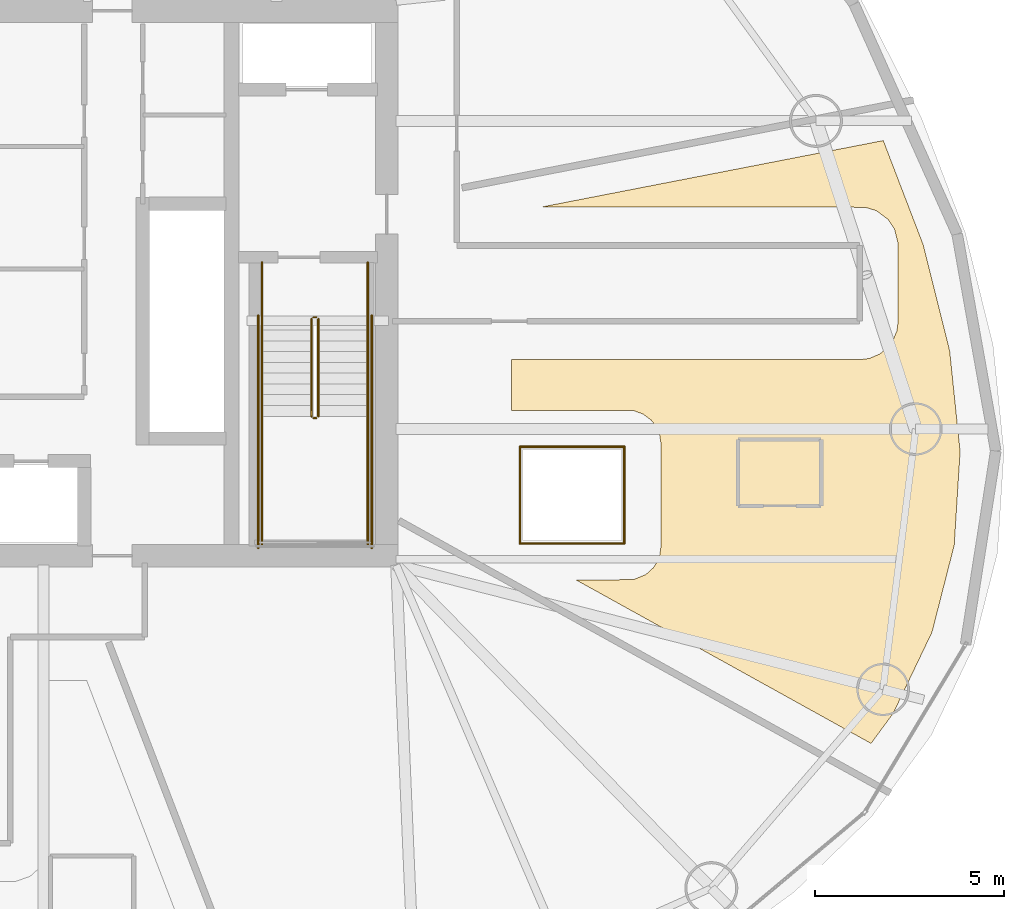
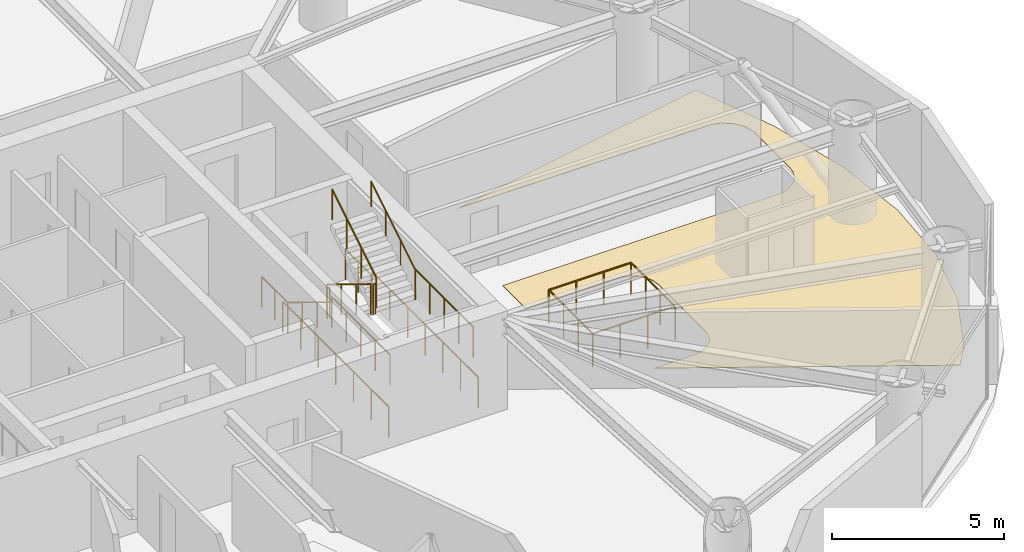
# One storey, part 19 of 20: 16 railings, 1 covering.
"""IFC4 building model written with IfcOpenShell, lengths in metres."""

import ifcopenshell
import ifcopenshell.guid

model = None  # the IFC model being written
_history = None  # IfcOwnerHistory: only IFC2X3 demands one
_inside = {}  # id of a spatial element -> (the spatial element, [elements in it])
_under = {}  # id of a project, library or spatial element -> (it, [spatial elements below it])
_declared = {}  # id of a project -> (the project, [libraries it declares])
_typed = {}  # id of a type object -> (the type object, [elements of that type])
_made_of = {}  # id of a material, layer set ... -> (it, [elements and type objects made of it])


def new_model(schema):
    """Start an empty IFC model of exactly this schema.

    Asked for "IFC4X3", IfcOpenShell would pick the latest addendum, in which some entities
    have other attributes; the version numbers below select the first issue.
    IFC2X3 requires an IfcOwnerHistory on every rooted entity: one is made here for all.
    """
    global model, _history
    if schema == "IFC4X3":
        model = ifcopenshell.file(schema_version=(4, 3, 0, 0))
    else:
        model = ifcopenshell.file(schema=schema)
    _inside.clear()
    _under.clear()
    _declared.clear()
    _typed.clear()
    _made_of.clear()
    _history = None
    if model.schema == "IFC2X3":
        org = make("IfcOrganization", Name="unknown")
        user = make(
            "IfcPersonAndOrganization",
            ThePerson=make("IfcPerson", FamilyName="unknown"),
            TheOrganization=org,
        )
        app = make(
            "IfcApplication",
            ApplicationDeveloper=org,
            Version="unknown",
            ApplicationFullName="unknown",
            ApplicationIdentifier="unknown",
        )
        _history = make(
            "IfcOwnerHistory",
            OwningUser=user,
            OwningApplication=app,
            ChangeAction="ADDED",
            CreationDate=0,
        )
    return model


def make(cls, **values):
    """One entity of the class cls with the attributes given. An attribute that is None is left unset."""
    return model.create_entity(
        cls, **{name: value for name, value in values.items() if value is not None}
    )


def rooted(cls, **values):
    """An entity with a GlobalId (a new one), such as an element, a storey or a relation."""
    return make(cls, GlobalId=ifcopenshell.guid.new(), OwnerHistory=_history, **values)


def si_unit(unit_type, name, prefix=None):
    """IfcSIUnit, for example si_unit("LENGTHUNIT", "METRE", prefix="MILLI")."""
    return make("IfcSIUnit", UnitType=unit_type, Prefix=prefix, Name=name)


def assignment(units):
    """IfcUnitAssignment: the units of a project."""
    return None if units is None else make("IfcUnitAssignment", Units=units)


def point(xyz):
    """IfcCartesianPoint."""
    return None if xyz is None else make("IfcCartesianPoint", Coordinates=xyz)


def direction(xyz):
    """IfcDirection."""
    return None if xyz is None else make("IfcDirection", DirectionRatios=xyz)


def frame(location, z_axis=None, x_axis=None):
    """IfcAxis2Placement3D, a coordinate frame: its origin and axes. An axis left out is left unset."""
    return make(
        "IfcAxis2Placement3D",
        Location=point(location),
        Axis=direction(z_axis),
        RefDirection=direction(x_axis),
    )


def frame_2d(location, x_axis=None):
    """IfcAxis2Placement2D, a coordinate frame in the plane: its origin and x axis."""
    return make(
        "IfcAxis2Placement2D", Location=point(location), RefDirection=direction(x_axis)
    )


def origin():
    """The frame at (0, 0, 0) with its axes left unset."""
    return frame((0.0, 0.0, 0.0))


def origin_2d():
    """The frame at (0, 0) in the plane with its x axis left unset."""
    return frame_2d((0.0, 0.0))


def place(relative_to, where):
    """IfcLocalPlacement: puts the frame where relative to a parent placement (None: the world)."""
    return make(
        "IfcLocalPlacement", PlacementRelTo=relative_to, RelativePlacement=where
    )


def context(
    kind, dimensions, precision=None, world=None, true_north=None, identifier=None
):
    """IfcGeometricRepresentationContext, for example the 3D "Model" context."""
    return make(
        "IfcGeometricRepresentationContext",
        ContextIdentifier=identifier,
        ContextType=kind,
        CoordinateSpaceDimension=dimensions,
        Precision=precision,
        WorldCoordinateSystem=world,
        TrueNorth=true_north,
    )


def subcontext(parent, identifier, kind, view, scale=None):
    """IfcGeometricRepresentationSubContext, for example "Body" below "Model"."""
    return make(
        "IfcGeometricRepresentationSubContext",
        ContextIdentifier=identifier,
        ContextType=kind,
        ParentContext=parent,
        TargetScale=scale,
        TargetView=view,
    )


def project(units=None, contexts=None):
    """IfcProject with its units and contexts."""
    return rooted(
        "IfcProject",
        Name="project",
        RepresentationContexts=contexts,
        UnitsInContext=assignment(units),
    )


def spatial(cls, under=None, at=None, **own):
    """A site, building, storey or space (cls), placed at a placement, below another one or the project."""
    s = rooted(cls, ObjectPlacement=at, **own)
    if under is not None:
        _under.setdefault(under.id(), (under, []))[1].append(s)
    return s


def polyline(points):
    """IfcPolyline through the points."""
    return make("IfcPolyline", Points=[point(p) for p in points])


def profile(cls, at=None, kind="AREA", **sizes):
    """A parametric profile (cls). Its sizes go by their IFC names, for example OverallWidth=200.0."""
    return make(cls, ProfileType=kind, Position=at, **sizes)


def circle(**sizes):
    """IfcCircleProfileDef."""
    return profile("IfcCircleProfileDef", **sizes)


def outline(outer, holes=None, kind="AREA"):
    """IfcArbitraryClosedProfileDef: a profile drawn as a closed curve; with holes, ...WithVoids."""
    if holes is None:
        return make("IfcArbitraryClosedProfileDef", ProfileType=kind, OuterCurve=outer)
    return make(
        "IfcArbitraryProfileDefWithVoids",
        ProfileType=kind,
        OuterCurve=outer,
        InnerCurves=holes,
    )


def extrude(swept, where, along, depth):
    """IfcExtrudedAreaSolid: the profile swept, set in the frame where, extruded along a direction by depth."""
    return make(
        "IfcExtrudedAreaSolid",
        SweptArea=swept,
        Position=where,
        ExtrudedDirection=direction(along),
        Depth=depth,
    )


def shape(context_of_items, identifier, shape_type, items):
    """IfcShapeRepresentation: the items that make up one representation, for example the "Body"."""
    return make(
        "IfcShapeRepresentation",
        ContextOfItems=context_of_items,
        RepresentationIdentifier=identifier,
        RepresentationType=shape_type,
        Items=items,
    )


def material(Name=None, Category=None):
    """IfcMaterial."""
    return make("IfcMaterial", Name=Name, Category=Category)


def layer(
    of_material, thickness, ventilated=None, Name=None, Category=None, Priority=None
):
    """IfcMaterialLayer: one layer of a wall or slab, of a material (None: an air gap)."""
    return make(
        "IfcMaterialLayer",
        Material=of_material,
        LayerThickness=thickness,
        IsVentilated=ventilated,
        Name=Name,
        Category=Category,
        Priority=Priority,
    )


def layer_set(layers, Name=None):
    """IfcMaterialLayerSet."""
    return make("IfcMaterialLayerSet", MaterialLayers=layers, LayerSetName=Name)


def made_of(thing, what):
    """Note that an element or type object is made of a material, layer set ...; save() writes the relation."""
    if what is not None:
        _made_of.setdefault(what.id(), (what, []))[1].append(thing)
    return thing


def type_object(cls, material=None, **own):
    """A type object (cls), such as IfcWallType, which elements share."""
    return made_of(rooted(cls, **own), material)


def element(
    cls,
    number,
    at=None,
    inside=None,
    cuts=None,
    type_object=None,
    material=None,
    context=None,
    identifier="Body",
    shape_type=None,
    held_by="IfcProductDefinitionShape",
    body=None,
    shapes=None,
    **own,
):
    """One element of the class cls, such as IfcWall. Its Tag is "e" and its number.

    at: its placement. inside: the storey or other place that contains it. cuts: it is an
    opening in that element (IfcRelVoidsElement). A single representation is given by context,
    identifier, shape_type and body (its items); several are given by shapes. held_by: the class
    of the entity that holds the representations. save() writes the other relations.
    """
    e = rooted(cls, Tag="e%d" % number, ObjectPlacement=at, **own)
    if body is not None:
        shapes = [shape(context, identifier, shape_type, body)]
    if shapes is not None:
        e.Representation = make(held_by, Representations=shapes)
    if inside is not None:
        _inside.setdefault(inside.id(), (inside, []))[1].append(e)
    if cuts is not None:
        rooted(
            "IfcRelVoidsElement", RelatingBuildingElement=cuts, RelatedOpeningElement=e
        )
    if type_object is not None:
        _typed.setdefault(type_object.id(), (type_object, []))[1].append(e)
    return made_of(e, material)


def aggregate(whole, parts):
    """IfcRelAggregates: a whole, such as a stair, and the parts it consists of."""
    return rooted("IfcRelAggregates", RelatingObject=whole, RelatedObjects=parts)


def save(model, path):
    """Write the relations noted so far, then the file.

    IfcRelAggregates (storeys below a building ...), IfcRelContainedInSpatialStructure (elements
    in a storey), IfcRelDefinesByType, IfcRelAssociatesMaterial and IfcRelDeclares: one each for
    every whole, place, type object, material and project.
    """
    for whole, parts in _under.values():
        aggregate(whole, parts)
    for where, things in _inside.values():
        rooted(
            "IfcRelContainedInSpatialStructure",
            RelatedElements=things,
            RelatingStructure=where,
        )
    for kind, things in _typed.values():
        rooted("IfcRelDefinesByType", RelatedObjects=things, RelatingType=kind)
    for what, things in _made_of.values():
        rooted("IfcRelAssociatesMaterial", RelatedObjects=things, RelatingMaterial=what)
    for by, libraries in _declared.values():
        rooted("IfcRelDeclares", RelatingContext=by, RelatedDefinitions=libraries)
    model.write(path)


model = new_model("IFC4")

# Units and contexts
model_context = context("Model", 3, precision=1e-05, world=origin(), true_north=direction((0.0, 1.0)))
body_context = subcontext(model_context, "Body", "Model", "MODEL_VIEW")
ifc_project = project(units=[si_unit("LENGTHUNIT", "METRE"), si_unit("AREAUNIT", "SQUARE_METRE"), si_unit("VOLUMEUNIT", "CUBIC_METRE"), si_unit("PLANEANGLEUNIT", "RADIAN"), si_unit("MASSUNIT", "GRAM", prefix="KILO")], contexts=[model_context])

# Site, building, storey
site_placement = place(None, origin())
site = spatial("IfcSite", under=ifc_project, at=site_placement, CompositionType="ELEMENT")
building_placement = place(site_placement, origin())
building = spatial("IfcBuilding", under=site, at=building_placement, Name="Bramvorn Convention Spire", CompositionType="ELEMENT")
storey_placement = place(building_placement, frame((0.0, 0.0, 113.300048828125)))
storey = spatial("IfcBuildingStorey", under=building, at=storey_placement, Name="L27", CompositionType="ELEMENT", Elevation=113.300048828125)

# Covering
ifc_material_1 = material(Name="Solution-Dyed Wool Broadloom Hospitality Carpet", Category="textile")
ifc_layer = layer(ifc_material_1, 0.014892578125)
ifc_layer_set = layer_set([ifc_layer], Name="Solution-Dyed Wool Broadloom Hospitality Carpet - FLR-CARPET-15")
covering_type = type_object("IfcCoveringType", Name="FLR-CARPET-15", PredefinedType="FLOORING", material=ifc_layer_set)
covering_placement = place(storey_placement, origin())
element("IfcCovering", 1, at=covering_placement, inside=storey, type_object=covering_type, Name="Hotel Suite 2709 wool broadloom carpet", PredefinedType="FLOORING", context=body_context, shape_type="SweptSolid", body=[
    extrude(outline(polyline([(61.802001953125, 13.83544921875), (62.388916015625, 14.634521484375), (63.4130859375, 16.775390625), (64.000732421875, 19.07470703125), (64.156494140625, 21.551513671875), (63.88134765625, 24.2080078125), (63.179443359375, 27.021240234375), (62.12548828125, 29.772705078125), (53.10888671875, 28.02001953125), (61.643798828125, 28.009765625), (61.94140625, 27.91943359375), (62.251708984375, 27.689208984375), (62.424560546875, 27.4306640625), (62.518310546875, 27.055908203125), (62.52001953125, 25.0), (62.48779296875, 24.74658203125), (62.377685546875, 24.480712890625), (62.251708984375, 24.310791015625), (62.029296875, 24.12841796875), (61.75341796875, 24.01220703125), (61.5, 23.97998046875), (52.300048828125, 23.97998046875), (52.300048828125, 22.636474609375), (55.525634765625, 22.6328125), (55.7744140625, 22.543701171875), (55.986328125, 22.386474609375), (56.098388671875, 22.25), (56.211181640625, 22.01123046875), (56.25, 21.75), (56.25, 19.050048828125), (56.211181640625, 18.788818359375), (56.143798828125, 18.625732421875), (56.045654296875, 18.47900390625), (55.85009765625, 18.3017578125), (55.525634765625, 18.167236328125), (54.018310546875, 18.14990234375), (61.802001953125, 13.83544921875)])), origin(), (0.0, 0.0, 1.0), 0.014892578125),
])

# Railings
ifc_material_2 = material(Name="Warm Bronze Perforated Metal & Glass Balustrade", Category="glass")
railing_type_1 = type_object("IfcRailingType", Name="RL-POD-BALUSTRADE-1200", PredefinedType="BALUSTRADE", material=ifc_material_2)
railing_1_placement = place(storey_placement, frame((52.52001953125, 19.1201171875, 0.0)))
element("IfcRailing", 2, at=railing_1_placement, inside=storey, type_object=railing_type_1, Name="L27 Feature atrium void balustrade 1", PredefinedType="BALUSTRADE", context=body_context, shape_type="SweptSolid", body=[
    extrude(circle(Radius=0.02392578125, at=origin_2d()), frame((0.0, 0.0, 1.17578125), z_axis=(1.0, 0.0, 0.0), x_axis=(0.0, 1.0, 0.0)), (0.0, 0.0, 1.0), 2.760009765625),
    extrude(circle(Radius=0.02099609375, at=origin_2d()), origin(), (0.0, 0.0, 1.0), 1.15185546875),
    extrude(circle(Radius=0.02099609375, at=origin_2d()), frame((0.919921875, 0.0, 0.0)), (0.0, 0.0, 1.0), 1.15185546875),
    extrude(circle(Radius=0.02099609375, at=origin_2d()), frame((1.840087890625, 0.0, 0.0)), (0.0, 0.0, 1.0), 1.15185546875),
    extrude(circle(Radius=0.02099609375, at=origin_2d()), frame((2.760009765625, 0.0, 0.0)), (0.0, 0.0, 1.0), 1.15185546875),
])
railing_2_placement = place(storey_placement, frame((55.280029296875, 19.1201171875, 0.0)))
element("IfcRailing", 3, at=railing_2_placement, inside=storey, type_object=railing_type_1, Name="L27 Feature atrium void balustrade 2", PredefinedType="BALUSTRADE", context=body_context, shape_type="SweptSolid", body=[
    extrude(circle(Radius=0.02392578125, at=origin_2d()), frame((0.0, 0.0, 1.17578125), z_axis=(0.0, 1.0, 0.0), x_axis=(-1.0, 0.0, 0.0)), (0.0, 0.0, 1.0), 2.559814453125),
    extrude(circle(Radius=0.02099609375, at=origin_2d()), origin(), (0.0, 0.0, 1.0), 1.15185546875),
    extrude(circle(Radius=0.02099609375, at=origin_2d()), frame((0.0, 0.853271484375, 0.0)), (0.0, 0.0, 1.0), 1.15185546875),
    extrude(circle(Radius=0.02099609375, at=origin_2d()), frame((0.0, 1.70654296875, 0.0)), (0.0, 0.0, 1.0), 1.15185546875),
    extrude(circle(Radius=0.02099609375, at=origin_2d()), frame((0.0, 2.559814453125, 0.0)), (0.0, 0.0, 1.0), 1.15185546875),
])
railing_3_placement = place(storey_placement, frame((55.280029296875, 21.679931640625, 0.0)))
element("IfcRailing", 4, at=railing_3_placement, inside=storey, type_object=railing_type_1, Name="L27 Feature atrium void balustrade 3", PredefinedType="BALUSTRADE", context=body_context, shape_type="SweptSolid", body=[
    extrude(circle(Radius=0.02392578125, at=origin_2d()), frame((0.0, 0.0, 1.17578125), z_axis=(-1.0, 0.0, 0.0), x_axis=(0.0, -1.0, 0.0)), (0.0, 0.0, 1.0), 2.760009765625),
    extrude(circle(Radius=0.02099609375, at=origin_2d()), origin(), (0.0, 0.0, 1.0), 1.15185546875),
    extrude(circle(Radius=0.02099609375, at=origin_2d()), frame((-0.919921875, 0.0, 0.0)), (0.0, 0.0, 1.0), 1.15185546875),
    extrude(circle(Radius=0.02099609375, at=origin_2d()), frame((-1.840087890625, 0.0, 0.0)), (0.0, 0.0, 1.0), 1.15185546875),
    extrude(circle(Radius=0.02099609375, at=origin_2d()), frame((-2.760009765625, 0.0, 0.0)), (0.0, 0.0, 1.0), 1.15185546875),
])
railing_4_placement = place(storey_placement, frame((52.52001953125, 21.679931640625, 0.0)))
element("IfcRailing", 5, at=railing_4_placement, inside=storey, type_object=railing_type_1, Name="L27 Feature atrium void balustrade 4", PredefinedType="BALUSTRADE", context=body_context, shape_type="SweptSolid", body=[
    extrude(circle(Radius=0.02392578125, at=origin_2d()), frame((0.0, 0.0, 1.17578125), z_axis=(0.0, -1.0, 0.0), x_axis=(1.0, 0.0, 0.0)), (0.0, 0.0, 1.0), 2.559814453125),
    extrude(circle(Radius=0.02099609375, at=origin_2d()), origin(), (0.0, 0.0, 1.0), 1.15185546875),
    extrude(circle(Radius=0.02099609375, at=origin_2d()), frame((0.0, -0.853271484375, 0.0)), (0.0, 0.0, 1.0), 1.15185546875),
    extrude(circle(Radius=0.02099609375, at=origin_2d()), frame((0.0, -1.70654296875, 0.0)), (0.0, 0.0, 1.0), 1.15185546875),
    extrude(circle(Radius=0.02099609375, at=origin_2d()), frame((0.0, -2.559814453125, 0.0)), (0.0, 0.0, 1.0), 1.15185546875),
])
ifc_material_3 = material(Name="Painted Steel Balustrade & Guardrail", Category="steel")
railing_type_2 = type_object("IfcRailingType", Name="RL-STAIR-GUARD-1100", PredefinedType="GUARDRAIL", material=ifc_material_3)
railing_5_placement = place(storey_placement, frame((47.010009765625, 25.050048828125, 0.175048828125)))
element("IfcRailing", 6, at=railing_5_placement, inside=storey, type_object=railing_type_2, Name="L27 ST2 stair guard 1", PredefinedType="GUARDRAIL", context=body_context, shape_type="SweptSolid", body=[
    extrude(circle(Radius=0.02392578125, at=origin_2d()), frame((0.0, 0.0, 1.076171875), z_axis=(0.0, -0.852173129349, 0.523259933127), x_axis=(1.0, 0.0, 0.0)), (0.0, 0.0, 1.0), 3.009765625),
    extrude(circle(Radius=0.02099609375, at=origin_2d()), origin(), (0.0, 0.0, 1.0), 1.052001953125),
    extrude(circle(Radius=0.02099609375, at=origin_2d()), frame((0.0, -0.85498046875, 0.52490234375)), (0.0, 0.0, 1.0), 1.052001953125),
    extrude(circle(Radius=0.02099609375, at=origin_2d()), frame((0.0, -1.7099609375, 1.050048828125)), (0.0, 0.0, 1.0), 1.052001953125),
    extrude(circle(Radius=0.02099609375, at=origin_2d()), frame((0.0, -2.56494140625, 1.574951171875)), (0.0, 0.0, 1.0), 1.052001953125),
])
railing_6_placement = place(storey_placement, frame((47.06005859375, 22.43505859375, 1.75)))
element("IfcRailing", 7, at=railing_6_placement, inside=storey, type_object=railing_type_2, Name="L27 ST2 stair guard 2", PredefinedType="GUARDRAIL", context=body_context, shape_type="SweptSolid", body=[
    extrude(circle(Radius=0.02392578125, at=origin_2d()), frame((0.0, 0.0, 1.076171875), z_axis=(1.0, 0.0, 0.0), x_axis=(0.0, 1.0, 0.0)), (0.0, 0.0, 1.0), 0.079833984375),
    extrude(circle(Radius=0.02099609375, at=origin_2d()), origin(), (0.0, 0.0, 1.0), 1.052001953125),
    extrude(circle(Radius=0.02099609375, at=origin_2d()), frame((0.079833984375, 0.0, 0.0)), (0.0, 0.0, 1.0), 1.052001953125),
])
for number, where, name in (
    (8, (45.699951171875, 22.485107421875, 1.75), "L27 ST2 stair guard 3"),
    (9, (48.5, 22.485107421875, 1.75), "L27 ST2 stair guard 4"),
):
    element("IfcRailing", number, at=place(storey_placement, frame(where)), inside=storey, type_object=railing_type_2, Name=name, PredefinedType="GUARDRAIL", context=body_context, shape_type="SweptSolid", body=[
        extrude(circle(Radius=0.02392578125, at=origin_2d()), frame((0.0, 0.0, 1.076171875), z_axis=(0.0, -1.0, 0.0), x_axis=(1.0, 0.0, 0.0)), (0.0, 0.0, 1.0), 3.385009765625),
        extrude(circle(Radius=0.02099609375, at=origin_2d()), origin(), (0.0, 0.0, 1.0), 1.052001953125),
        extrude(circle(Radius=0.02099609375, at=origin_2d()), frame((0.0, -0.84619140625, 0.0)), (0.0, 0.0, 1.0), 1.052001953125),
        extrude(circle(Radius=0.02099609375, at=origin_2d()), frame((0.0, -1.6923828125, 0.0)), (0.0, 0.0, 1.0), 1.052001953125),
        extrude(circle(Radius=0.02099609375, at=origin_2d()), frame((0.0, -2.538818359375, 0.0)), (0.0, 0.0, 1.0), 1.052001953125),
        extrude(circle(Radius=0.02099609375, at=origin_2d()), frame((0.0, -3.385009765625, 0.0)), (0.0, 0.0, 1.0), 1.052001953125),
    ])
railing_7_placement = place(storey_placement, frame((47.18994140625, 22.485107421875, 1.925048828125)))
element("IfcRailing", 10, at=railing_7_placement, inside=storey, type_object=railing_type_2, Name="L27 ST2 stair guard 6", PredefinedType="GUARDRAIL", context=body_context, shape_type="SweptSolid", body=[
    extrude(circle(Radius=0.02392578125, at=origin_2d()), frame((0.0, 0.0, 1.076171875), z_axis=(0.0, 0.852173129349, 0.523259933127), x_axis=(-1.0, 0.0, 0.0)), (0.0, 0.0, 1.0), 3.009765625),
    extrude(circle(Radius=0.02099609375, at=origin_2d()), origin(), (0.0, 0.0, 1.0), 1.052001953125),
    extrude(circle(Radius=0.02099609375, at=origin_2d()), frame((0.0, 0.85498046875, 0.52490234375)), (0.0, 0.0, 1.0), 1.052001953125),
    extrude(circle(Radius=0.02099609375, at=origin_2d()), frame((0.0, 1.7099609375, 1.050048828125)), (0.0, 0.0, 1.0), 1.052001953125),
    extrude(circle(Radius=0.02099609375, at=origin_2d()), frame((0.0, 2.56494140625, 1.574951171875)), (0.0, 0.0, 1.0), 1.052001953125),
])
railing_8_placement = place(storey_placement, frame((47.06005859375, 25.10009765625, 0.0)))
element("IfcRailing", 11, at=railing_8_placement, inside=storey, type_object=railing_type_2, Name="L27 ST2 stair guard 7", PredefinedType="GUARDRAIL", context=body_context, shape_type="SweptSolid", body=[
    extrude(circle(Radius=0.02392578125, at=origin_2d()), frame((0.0, 0.0, 1.076171875), z_axis=(1.0, 0.0, 0.0), x_axis=(0.0, 1.0, 0.0)), (0.0, 0.0, 1.0), 0.079833984375),
    extrude(circle(Radius=0.02099609375, at=origin_2d()), origin(), (0.0, 0.0, 1.0), 1.052001953125),
    extrude(circle(Radius=0.02099609375, at=origin_2d()), frame((0.079833984375, 0.0, 0.0)), (0.0, 0.0, 1.0), 1.052001953125),
])
for number, where, name in (
    (12, (45.699951171875, 26.550048828125, 0.0), "L27 ST2 stair guard 8"),
    (13, (48.5, 26.550048828125, 0.0), "L27 ST2 stair guard 9"),
):
    element("IfcRailing", number, at=place(storey_placement, frame(where)), inside=storey, type_object=railing_type_2, Name=name, PredefinedType="GUARDRAIL", context=body_context, shape_type="SweptSolid", body=[
        extrude(circle(Radius=0.02392578125, at=origin_2d()), frame((0.0, 0.0, 1.076171875), z_axis=(0.0, -1.0, 0.0), x_axis=(1.0, 0.0, 0.0)), (0.0, 0.0, 1.0), 1.5),
        extrude(circle(Radius=0.02099609375, at=origin_2d()), origin(), (0.0, 0.0, 1.0), 1.052001953125),
        extrude(circle(Radius=0.02099609375, at=origin_2d()), frame((0.0, -0.75, 0.0)), (0.0, 0.0, 1.0), 1.052001953125),
        extrude(circle(Radius=0.02099609375, at=origin_2d()), frame((0.0, -1.5, 0.0)), (0.0, 0.0, 1.0), 1.052001953125),
    ])
for number, where, name in (
    (14, (45.60009765625, 25.14990234375, 0.0), "L27 ST2 stair guard 10"),
    (15, (48.60009765625, 25.14990234375, 0.0), "L27 ST2 stair guard 11"),
):
    element("IfcRailing", number, at=place(storey_placement, frame(where)), inside=storey, type_object=railing_type_2, Name=name, PredefinedType="GUARDRAIL", context=body_context, shape_type="SweptSolid", body=[
        extrude(circle(Radius=0.02392578125, at=origin_2d()), frame((0.0, 0.0, 1.076171875), z_axis=(0.0, -1.0, 0.0), x_axis=(1.0, 0.0, 0.0)), (0.0, 0.0, 1.0), 6.14990234375),
        extrude(circle(Radius=0.02099609375, at=origin_2d()), origin(), (0.0, 0.0, 1.0), 1.052001953125),
        extrude(circle(Radius=0.02099609375, at=origin_2d()), frame((0.0, -1.02490234375, 0.0)), (0.0, 0.0, 1.0), 1.052001953125),
        extrude(circle(Radius=0.02099609375, at=origin_2d()), frame((0.0, -2.050048828125, 0.0)), (0.0, 0.0, 1.0), 1.052001953125),
        extrude(circle(Radius=0.02099609375, at=origin_2d()), frame((0.0, -3.074951171875, 0.0)), (0.0, 0.0, 1.0), 1.052001953125),
        extrude(circle(Radius=0.02099609375, at=origin_2d()), frame((0.0, -4.099853515625, 0.0)), (0.0, 0.0, 1.0), 1.052001953125),
        extrude(circle(Radius=0.02099609375, at=origin_2d()), frame((0.0, -5.125, 0.0)), (0.0, 0.0, 1.0), 1.052001953125),
        extrude(circle(Radius=0.02099609375, at=origin_2d()), frame((0.0, -6.14990234375, 0.0)), (0.0, 0.0, 1.0), 1.052001953125),
    ])
ifc_material_4 = material(Name="Brushed Bronze Tubular Handrail", Category="aluminium")
railing_type_3 = type_object("IfcRailingType", Name="RL-STAIR-HR-920", PredefinedType="HANDRAIL", material=ifc_material_4)
railing_9_placement = place(storey_placement, frame((45.699951171875, 25.050048828125, 0.175048828125)))
element("IfcRailing", 16, at=railing_9_placement, inside=storey, type_object=railing_type_3, Name="L27 ST2 stair handrail 1", PredefinedType="HANDRAIL", context=body_context, shape_type="SweptSolid", body=[
    extrude(circle(Radius=0.02392578125, at=origin_2d()), frame((0.0, 0.0, 0.89599609375), z_axis=(0.0, -0.852173129349, 0.523259933127), x_axis=(1.0, 0.0, 0.0)), (0.0, 0.0, 1.0), 3.009765625),
    extrude(circle(Radius=0.02099609375, at=origin_2d()), origin(), (0.0, 0.0, 1.0), 0.871826171875),
    extrude(circle(Radius=0.02099609375, at=origin_2d()), frame((0.0, -0.85498046875, 0.52490234375)), (0.0, 0.0, 1.0), 0.871826171875),
    extrude(circle(Radius=0.02099609375, at=origin_2d()), frame((0.0, -1.7099609375, 1.050048828125)), (0.0, 0.0, 1.0), 0.871826171875),
    extrude(circle(Radius=0.02099609375, at=origin_2d()), frame((0.0, -2.56494140625, 1.574951171875)), (0.0, 0.0, 1.0), 0.871826171875),
])
railing_10_placement = place(storey_placement, frame((48.5, 22.485107421875, 1.925048828125)))
element("IfcRailing", 17, at=railing_10_placement, inside=storey, type_object=railing_type_3, Name="L27 ST2 stair handrail 2", PredefinedType="HANDRAIL", context=body_context, shape_type="SweptSolid", body=[
    extrude(circle(Radius=0.02392578125, at=origin_2d()), frame((0.0, 0.0, 0.89599609375), z_axis=(0.0, 0.852173129349, 0.523259933127), x_axis=(-1.0, 0.0, 0.0)), (0.0, 0.0, 1.0), 3.009765625),
    extrude(circle(Radius=0.02099609375, at=origin_2d()), origin(), (0.0, 0.0, 1.0), 0.871826171875),
    extrude(circle(Radius=0.02099609375, at=origin_2d()), frame((0.0, 0.85498046875, 0.52490234375)), (0.0, 0.0, 1.0), 0.871826171875),
    extrude(circle(Radius=0.02099609375, at=origin_2d()), frame((0.0, 1.7099609375, 1.050048828125)), (0.0, 0.0, 1.0), 0.871826171875),
    extrude(circle(Radius=0.02099609375, at=origin_2d()), frame((0.0, 2.56494140625, 1.574951171875)), (0.0, 0.0, 1.0), 0.871826171875),
])

save(model, "model.ifc")
